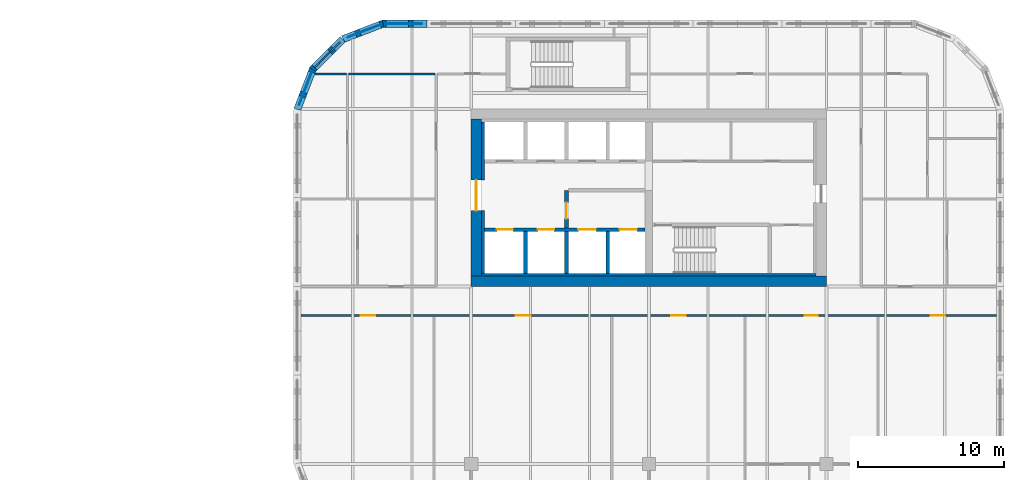
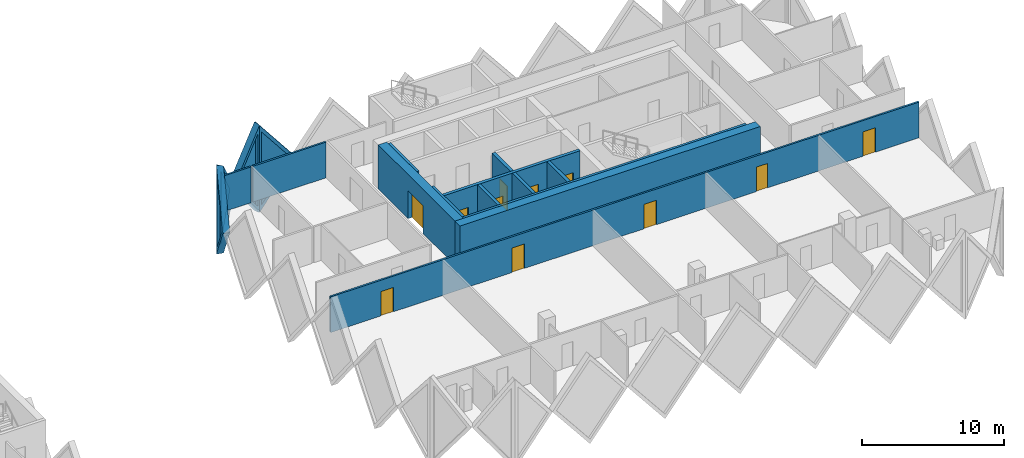
# One storey, part 13 of 20: 17 walls, 11 doors, 4 plates, 15 openings.
"""IFC4 building model written with IfcOpenShell, lengths in metres."""

from ifc_helpers import new_model, si_unit, direction, frame, frame_2d, origin, place, context, subcontext, project, spatial, polyline, rectangle, outline, extrude, faceted_brep, source, transform, mapped, material, layer, layer_set, type_object, element, fill, save


model = new_model("IFC4")

# Units and contexts
model_context = context("Model", 3, precision=1e-05, world=origin(), true_north=direction((0.0, 1.0)))
body_context = subcontext(model_context, "Body", "Model", "MODEL_VIEW")
ifc_project = project(units=[si_unit("LENGTHUNIT", "METRE"), si_unit("AREAUNIT", "SQUARE_METRE"), si_unit("VOLUMEUNIT", "CUBIC_METRE"), si_unit("PLANEANGLEUNIT", "RADIAN"), si_unit("MASSUNIT", "GRAM", prefix="KILO")], contexts=[model_context])

# Site, building, storey
site_placement = place(None, origin())
site = spatial("IfcSite", under=ifc_project, at=site_placement, CompositionType="ELEMENT")
building_placement = place(site_placement, origin())
building = spatial("IfcBuilding", under=site, at=building_placement, Name="Tessera Gate Towers", CompositionType="ELEMENT")
storey_placement = place(building_placement, frame((0.0, 0.0, 48.60009765625)))
storey = spatial("IfcBuildingStorey", under=building, at=storey_placement, Name="L11", CompositionType="ELEMENT", Elevation=48.60009765625)

# Wall, openings, doors
ifc_material_1 = material(Name="Concrete C40/50", Category="concrete")
ifc_layer_1 = layer(ifc_material_1, 0.25)
ifc_layer_set_1 = layer_set([ifc_layer_1], Name="CORE ENCLOSURE WALL 250")
wall_type_1 = type_object("IfcWallType", Name="CORE ENCLOSURE WALL 250", PredefinedType="SOLIDWALL", material=ifc_layer_set_1)
wall_1_placement = place(storey_placement, frame((98.5, 40.5, 0.0), z_axis=(0.0, 0.0, 1.0), x_axis=(1.0, 0.0, 0.0)))
wall_1 = element("IfcWall", 1, at=wall_1_placement, inside=storey, type_object=wall_type_1, Name="L11 shaft and stair enclosure wall", PredefinedType="SOLIDWALL", context=body_context, shape_type="SweptSolid", body=[
    extrude(rectangle(XDim=11.050048828125, YDim=0.25, at=frame_2d((5.52490234375, 0.0))), origin(), (0.0, 0.0, 1.0), 3.7998046875),
])
shared_shape_1 = source(origin(), body_context, "Body", "SweptSolid", [
    extrude(rectangle(XDim=1.10009765625, YDim=2.10009765625, at=frame_2d((0.550048828125, 1.050048828125))), frame((0.0, 0.135009765625, 0.0), z_axis=(0.0, -1.0, 0.0), x_axis=(1.0, 0.0, 0.0)), (0.0, 0.0, 1.0), 0.27001953125),
])
opening_1_placement = place(wall_1_placement, frame((0.862548828125, 0.0, 0.0)))
opening_1 = element("IfcOpeningElement", 2, at=opening_1_placement, cuts=wall_1, Name="Opening LD-TL1", PredefinedType="OPENING", context=body_context, shape_type="MappedRepresentation", body=[
    mapped(shared_shape_1, transform((0.0, 0.0, 0.0), scale=1.0)),
])
opening_2_placement = place(wall_1_placement, frame((3.6875, 0.0, 0.0)))
opening_2 = element("IfcOpeningElement", 3, at=opening_2_placement, cuts=wall_1, Name="Opening LD-TL2", PredefinedType="OPENING", context=body_context, shape_type="MappedRepresentation", body=[
    mapped(shared_shape_1, transform((0.0, 0.0, 0.0), scale=1.0)),
])
shared_shape_2 = source(origin(), body_context, "Body", "SweptSolid", [
    extrude(rectangle(XDim=1.199951171875, YDim=2.10009765625, at=frame_2d((0.60009765625, 1.050048828125))), frame((0.0, 0.135009765625, 0.0), z_axis=(0.0, -1.0, 0.0), x_axis=(1.0, 0.0, 0.0)), (0.0, 0.0, 1.0), 0.27001953125),
])
opening_3_placement = place(wall_1_placement, frame((6.46240234375, 0.0, 0.0)))
opening_3 = element("IfcOpeningElement", 4, at=opening_3_placement, cuts=wall_1, Name="Opening LD-FF3", PredefinedType="OPENING", context=body_context, shape_type="MappedRepresentation", body=[
    mapped(shared_shape_2, transform((0.0, 0.0, 0.0), scale=1.0)),
])
opening_4_placement = place(wall_1_placement, frame((9.28759765625, 0.0, 0.0)))
opening_4 = element("IfcOpeningElement", 5, at=opening_4_placement, cuts=wall_1, Name="Opening LD-FF4", PredefinedType="OPENING", context=body_context, shape_type="MappedRepresentation", body=[
    mapped(shared_shape_2, transform((0.0, 0.0, 0.0), scale=1.0)),
])
ifc_material_2 = material(Name="Stainless steel", Category="steel")
door_type_1 = type_object("IfcDoorType", Name="CORE DOOR LD1200 1200x2100", OperationType="DOUBLE_DOOR_SLIDING", PredefinedType="DOOR", material=ifc_material_2)
shared_shape_3 = source(origin(), body_context, "Body", "SweptSolid", [
    extrude(rectangle(XDim=1.199951171875, YDim=2.10009765625, at=frame_2d((0.60009765625, 1.050048828125))), frame((0.0, 0.02490234375, 0.0), z_axis=(0.0, -1.0, 0.0), x_axis=(1.0, 0.0, 0.0)), (0.0, 0.0, 1.0), 0.050048828125),
])
door_1_placement = place(opening_3_placement, origin())
door_1 = element("IfcDoor", 6, at=door_1_placement, inside=storey, type_object=door_type_1, Name="Landing door FF3 L11", OperationType="DOUBLE_DOOR_SLIDING", OverallHeight=2.10009765625, OverallWidth=1.199951171875, PredefinedType="DOOR", context=body_context, shape_type="MappedRepresentation", body=[
    mapped(shared_shape_3, transform((0.0, 0.0, 0.0), scale=1.0)),
])
fill(opening_3, door_1)
door_2_placement = place(opening_4_placement, origin())
door_2 = element("IfcDoor", 7, at=door_2_placement, inside=storey, type_object=door_type_1, Name="Landing door FF4 L11", OperationType="DOUBLE_DOOR_SLIDING", OverallHeight=2.10009765625, OverallWidth=1.199951171875, PredefinedType="DOOR", context=body_context, shape_type="MappedRepresentation", body=[
    mapped(shared_shape_3, transform((0.0, 0.0, 0.0), scale=1.0)),
])
fill(opening_4, door_2)
ifc_material_3 = material(Name="Stainless steel", Category="steel")
door_type_2 = type_object("IfcDoorType", Name="CORE DOOR LD 1100x2100", OperationType="DOUBLE_DOOR_SLIDING", PredefinedType="DOOR", material=ifc_material_3)
shared_shape_4 = source(origin(), body_context, "Body", "SweptSolid", [
    extrude(rectangle(XDim=1.10009765625, YDim=2.10009765625, at=frame_2d((0.550048828125, 1.050048828125))), frame((0.0, 0.02490234375, 0.0), z_axis=(0.0, -1.0, 0.0), x_axis=(1.0, 0.0, 0.0)), (0.0, 0.0, 1.0), 0.050048828125),
])
door_3_placement = place(opening_1_placement, origin())
door_3 = element("IfcDoor", 8, at=door_3_placement, inside=storey, type_object=door_type_2, Name="Landing door TL1 L11", OperationType="DOUBLE_DOOR_SLIDING", OverallHeight=2.10009765625, OverallWidth=1.10009765625, PredefinedType="DOOR", context=body_context, shape_type="MappedRepresentation", body=[
    mapped(shared_shape_4, transform((0.0, 0.0, 0.0), scale=1.0)),
])
fill(opening_1, door_3)
door_4_placement = place(opening_2_placement, origin())
door_4 = element("IfcDoor", 9, at=door_4_placement, inside=storey, type_object=door_type_2, Name="Landing door TL2 L11", OperationType="DOUBLE_DOOR_SLIDING", OverallHeight=2.10009765625, OverallWidth=1.10009765625, PredefinedType="DOOR", context=body_context, shape_type="MappedRepresentation", body=[
    mapped(shared_shape_4, transform((0.0, 0.0, 0.0), scale=1.0)),
])
fill(opening_2, door_4)

# Wall
wall_2_placement = place(storey_placement, frame((104.14990234375, 37.5, 0.0), z_axis=(0.0, 0.0, 1.0), x_axis=(0.0, 1.0, 0.0)))
element("IfcWall", 10, at=wall_2_placement, inside=storey, type_object=wall_type_1, Name="L11 shaft and stair enclosure wall", PredefinedType="SOLIDWALL", context=body_context, shape_type="SweptSolid", body=[
    extrude(rectangle(XDim=2.875, YDim=0.25, at=frame_2d((1.4375, 0.0))), origin(), (0.0, 0.0, 1.0), 3.7998046875),
])

# Wall, opening, door
wall_3_placement = place(storey_placement, frame((104.14990234375, 43.199951171875, 0.0), z_axis=(0.0, 0.0, 1.0), x_axis=(0.0, -1.0, 0.0)))
wall_3 = element("IfcWall", 11, at=wall_3_placement, inside=storey, type_object=wall_type_1, Name="L11 shaft and stair enclosure wall", PredefinedType="SOLIDWALL", context=body_context, shape_type="SweptSolid", body=[
    extrude(rectangle(XDim=2.574951171875, YDim=0.25, at=frame_2d((1.28759765625, 0.0))), origin(), (0.0, 0.0, 1.0), 3.7998046875),
])
opening_5_placement = place(wall_3_placement, frame((0.85009765625, 0.0, 0.0)))
opening_5 = element("IfcOpeningElement", 12, at=opening_5_placement, cuts=wall_3, Name="Opening FD-T2-04-03", PredefinedType="OPENING", context=body_context, shape_type="MappedRepresentation", body=[
    mapped(shared_shape_1, transform((0.0, 0.0, 0.0), scale=1.0)),
])
ifc_material_4 = material(Name="Hollow steel fire door", Category="steel")
door_type_3 = type_object("IfcDoorType", Name="CORE DOOR FD 1100x2100", OperationType="NOTDEFINED", PredefinedType="DOOR", material=ifc_material_4)
door_5_placement = place(opening_5_placement, origin())
door_5 = element("IfcDoor", 13, at=door_5_placement, inside=storey, type_object=door_type_3, Name="Fire-fighting lobby door", OperationType="SINGLE_SWING_RIGHT", OverallHeight=2.10009765625, OverallWidth=1.10009765625, PredefinedType="DOOR", context=body_context, shape_type="MappedRepresentation", body=[
    mapped(shared_shape_4, transform((0.0, 0.0, 0.0), scale=1.0)),
])
fill(opening_5, door_5)

# Walls
for number, where, z_axis, x_axis, name in (
    (14, (101.324951171875, 37.5, 0.0), (0.0, 0.0, 1.0), (0.0, 1.0, 0.0), "L11 shaft and stair enclosure wall"),
    (15, (106.97509765625, 37.5, 0.0), (0.0, 0.0, 1.0), (0.0, 1.0, 0.0), "L11 shaft and stair enclosure wall"),
):
    element("IfcWall", number, at=place(storey_placement, frame(where, z_axis=z_axis, x_axis=x_axis)), inside=storey, type_object=wall_type_1, Name=name, PredefinedType="SOLIDWALL", context=body_context, shape_type="SweptSolid", body=[
        extrude(rectangle(XDim=2.875, YDim=0.25, at=frame_2d((1.4375, 0.0))), origin(), (0.0, 0.0, 1.0), 3.7998046875),
    ])
ifc_material_5 = material(Name="Concrete C60/75", Category="concrete")
ifc_layer_2 = layer(ifc_material_5, 0.699951171875)
ifc_layer_set_2 = layer_set([ifc_layer_2], Name="CORE SHEAR WALL 700 C60/75")
wall_type_2 = type_object("IfcWallType", Name="CORE SHEAR WALL 700 C60/75", PredefinedType="SHEAR", material=ifc_layer_set_2)
wall_4_placement = place(storey_placement, frame((122.0, 36.949951171875, 0.0), z_axis=(0.0, 0.0, 1.0), x_axis=(-1.0, 0.0, 0.0)))
element("IfcWall", 16, at=wall_4_placement, inside=storey, type_object=wall_type_2, Name="Core wall S L11", PredefinedType="SHEAR", context=body_context, shape_type="SweptSolid", body=[
    extrude(rectangle(XDim=24.39990234375, YDim=0.699951171875, at=frame_2d((12.199951171875, 0.0))), origin(), (0.0, 0.0, 1.0), 3.7998046875),
])

# Wall, opening, door
wall_5_placement = place(storey_placement, frame((97.949951171875, 37.300048828125, 0.0), z_axis=(0.0, 0.0, 1.0), x_axis=(0.0, 1.0, 0.0)))
wall_5 = element("IfcWall", 17, at=wall_5_placement, inside=storey, type_object=wall_type_2, Name="Core wall W L11", PredefinedType="SHEAR", context=body_context, shape_type="SweptSolid", body=[
    extrude(rectangle(XDim=10.800048828125, YDim=0.699951171875, at=frame_2d((5.39990234375, 0.0))), origin(), (0.0, 0.0, 1.0), 3.7998046875),
])
shared_shape_5 = source(origin(), body_context, "Body", "SweptSolid", [
    extrude(rectangle(XDim=2.10009765625, YDim=2.39990234375, at=frame_2d((1.050048828125, 1.199951171875))), frame((0.0, 0.35986328125, 0.0), z_axis=(0.0, -1.0, 0.0), x_axis=(1.0, 0.0, 0.0)), (0.0, 0.0, 1.0), 0.719970703125),
])
opening_6_placement = place(wall_5_placement, frame((4.5, 0.0, 0.0)))
opening_6 = element("IfcOpeningElement", 18, at=opening_6_placement, cuts=wall_5, Name="Opening DD-T2-04-01", PredefinedType="OPENING", context=body_context, shape_type="MappedRepresentation", body=[
    mapped(shared_shape_5, transform((0.0, 0.0, 0.0), scale=1.0)),
])
ifc_material_6 = material(Name="Hollow steel fire door", Category="steel")
door_type_4 = type_object("IfcDoorType", Name="CORE DOOR DD 2100x2400", OperationType="NOTDEFINED", PredefinedType="DOOR", material=ifc_material_6)
shared_shape_6 = source(origin(), body_context, "Body", "SweptSolid", [
    extrude(rectangle(XDim=2.10009765625, YDim=2.39990234375, at=frame_2d((1.050048828125, 1.199951171875))), frame((0.0, 0.02490234375, 0.0), z_axis=(0.0, -1.0, 0.0), x_axis=(1.0, 0.0, 0.0)), (0.0, 0.0, 1.0), 0.050048828125),
])
door_6_placement = place(opening_6_placement, origin())
door_6 = element("IfcDoor", 19, at=door_6_placement, inside=storey, type_object=door_type_4, Name="Core entrance door", OperationType="DOUBLE_DOOR_SINGLE_SWING", OverallHeight=2.39990234375, OverallWidth=2.10009765625, PredefinedType="DOOR", context=body_context, shape_type="MappedRepresentation", body=[
    mapped(shared_shape_6, transform((0.0, 0.0, 0.0), scale=1.0)),
])
fill(opening_6, door_6)

# Walls
ifc_material_7 = material(Name="Concrete C60/75", Category="concrete")
ifc_layer_3 = layer(ifc_material_7, 0.199951171875)
ifc_layer_set_3 = layer_set([ifc_layer_3], Name="CORE WALL THICKENING 200")
wall_type_3 = type_object("IfcWallType", Name="CORE WALL THICKENING 200", PredefinedType="SOLIDWALL", material=ifc_layer_set_3)
wall_6_placement = place(storey_placement, frame((98.300048828125, 37.39990234375, 0.0), z_axis=(0.0, 0.0, 1.0), x_axis=(1.0, 0.0, 0.0)))
element("IfcWall", 20, at=wall_6_placement, inside=storey, type_object=wall_type_3, Name="Core wall thickening S L11", PredefinedType="SOLIDWALL", context=body_context, shape_type="SweptSolid", body=[
    extrude(rectangle(XDim=23.0, YDim=0.199951171875, at=frame_2d((11.5, 0.0))), origin(), (0.0, 0.0, 1.0), 3.7998046875),
])
wall_7_placement = place(storey_placement, frame((98.39990234375, 37.5, 0.0), z_axis=(0.0, 0.0, 1.0), x_axis=(0.0, 1.0, 0.0)))
element("IfcWall", 21, at=wall_7_placement, inside=storey, type_object=wall_type_3, Name="Core wall thickening W L11", PredefinedType="SOLIDWALL", context=body_context, shape_type="SweptSolid", body=[
    extrude(rectangle(XDim=4.300048828125, YDim=0.199951171875, at=frame_2d((2.14990234375, 0.0))), origin(), (0.0, 0.0, 1.0), 3.7998046875),
])
wall_8_placement = place(storey_placement, frame((98.39990234375, 43.89990234375, 0.0), z_axis=(0.0, 0.0, 1.0), x_axis=(0.0, 1.0, 0.0)))
element("IfcWall", 22, at=wall_8_placement, inside=storey, type_object=wall_type_3, Name="Core wall thickening W L11", PredefinedType="SOLIDWALL", context=body_context, shape_type="SweptSolid", body=[
    extrude(rectangle(XDim=4.0, YDim=0.199951171875, at=frame_2d((2.0, 0.0))), origin(), (0.0, 0.0, 1.0), 3.7998046875),
])

# Wall, openings, doors
ifc_material_8 = material(Name="Gypsum board on steel studs, mineral wool", Category="steel")
ifc_layer_4 = layer(ifc_material_8, 0.14990234375)
ifc_layer_set_4 = layer_set([ifc_layer_4], Name="CORRIDOR WALL 150")
wall_type_4 = type_object("IfcWallType", Name="CORRIDOR WALL 150", PredefinedType="PARTITIONING", material=ifc_layer_set_4)
wall_9_placement = place(storey_placement, frame((133.699951171875, 34.60009765625, 0.0), z_axis=(0.0, 0.0, 1.0), x_axis=(-1.0, 0.0, 0.0)))
wall_9 = element("IfcWall", 23, at=wall_9_placement, inside=storey, type_object=wall_type_4, Name="T2-L11-PW-024", PredefinedType="PARTITIONING", context=body_context, shape_type="SweptSolid", body=[
    extrude(rectangle(XDim=47.800048828125, YDim=0.14990234375, at=frame_2d((23.89990234375, 0.0))), origin(), (0.0, 0.0, 1.0), 3.06689453125),
])
shared_shape_7 = source(origin(), body_context, "Body", "SweptSolid", [
    extrude(rectangle(XDim=1.0, YDim=2.10009765625, at=frame_2d((0.5, 1.050048828125))), frame((0.0, 0.0849609375, 0.0), z_axis=(0.0, -1.0, 0.0), x_axis=(1.0, 0.0, 0.0)), (0.0, 0.0, 1.0), 0.169921875),
])
opening_7_placement = place(wall_9_placement, frame((3.549072265625, 0.0, 0.0)))
opening_7 = element("IfcOpeningElement", 24, at=opening_7_placement, cuts=wall_9, Name="Opening D2100FD60-B05-02", PredefinedType="OPENING", context=body_context, shape_type="MappedRepresentation", body=[
    mapped(shared_shape_7, transform((0.0, 0.0, 0.0), scale=1.0)),
])
opening_8_placement = place(wall_9_placement, frame((42.699951171875, 0.0, 0.0)))
opening_8 = element("IfcOpeningElement", 25, at=opening_8_placement, cuts=wall_9, Name="Opening D2100FD60-B05-04", PredefinedType="OPENING", context=body_context, shape_type="MappedRepresentation", body=[
    mapped(shared_shape_7, transform((0.0, 0.0, 0.0), scale=1.0)),
])
shared_shape_8 = source(origin(), body_context, "Body", "SweptSolid", [
    extrude(rectangle(XDim=0.89990234375, YDim=2.10009765625, at=frame_2d((0.449951171875, 1.050048828125))), frame((0.0, 0.0849609375, 0.0), z_axis=(0.0, -1.0, 0.0), x_axis=(1.0, 0.0, 0.0)), (0.0, 0.0, 1.0), 0.169921875),
])
opening_9_placement = place(wall_9_placement, frame((12.299072265625, 0.0, 0.0)))
opening_9 = element("IfcOpeningElement", 26, at=opening_9_placement, cuts=wall_9, Name="Opening D890FD60-B05-01", PredefinedType="OPENING", context=body_context, shape_type="MappedRepresentation", body=[
    mapped(shared_shape_8, transform((0.0, 0.0, 0.0), scale=1.0)),
])
opening_10_placement = place(wall_9_placement, frame((21.34912109375, 0.0, 0.0)))
opening_10 = element("IfcOpeningElement", 27, at=opening_10_placement, cuts=wall_9, Name="Opening D2100FD60-B05-05", PredefinedType="OPENING", context=body_context, shape_type="MappedRepresentation", body=[
    mapped(shared_shape_7, transform((0.0, 0.0, 0.0), scale=1.0)),
])
opening_11_placement = place(wall_9_placement, frame((32.050048828125, 0.0, 0.0)))
opening_11 = element("IfcOpeningElement", 28, at=opening_11_placement, cuts=wall_9, Name="Opening D2100FD60-B05-06", PredefinedType="OPENING", context=body_context, shape_type="MappedRepresentation", body=[
    mapped(shared_shape_7, transform((0.0, 0.0, 0.0), scale=1.0)),
])
ifc_material_9 = material(Name="Timber door leaf in steel frame", Category="steel")
door_type_5 = type_object("IfcDoorType", Name="CORRIDOR DOOR 900 FD60", OperationType="NOTDEFINED", PredefinedType="DOOR", material=ifc_material_9)
shared_shape_9 = source(origin(), body_context, "Body", "SweptSolid", [
    extrude(rectangle(XDim=0.89990234375, YDim=2.10009765625, at=frame_2d((0.449951171875, 1.050048828125))), frame((0.0, 0.02490234375, 0.0), z_axis=(0.0, -1.0, 0.0), x_axis=(1.0, 0.0, 0.0)), (0.0, 0.0, 1.0), 0.050048828125),
])
door_7_placement = place(opening_9_placement, origin())
door_7 = element("IfcDoor", 29, at=door_7_placement, inside=storey, type_object=door_type_5, Name="T2-L11-PD-020", OperationType="SINGLE_SWING_RIGHT", OverallHeight=2.10009765625, OverallWidth=0.89990234375, PredefinedType="DOOR", context=body_context, shape_type="MappedRepresentation", body=[
    mapped(shared_shape_9, transform((0.0, 0.0, 0.0), scale=1.0)),
])
fill(opening_9, door_7)
ifc_material_10 = material(Name="Timber door leaf in steel frame", Category="steel")
door_type_6 = type_object("IfcDoorType", Name="TENANCY ENTRANCE DOOR 1000 FD60", OperationType="NOTDEFINED", PredefinedType="DOOR", material=ifc_material_10)
shared_shape_10 = source(origin(), body_context, "Body", "SweptSolid", [
    extrude(rectangle(XDim=1.0, YDim=2.10009765625, at=frame_2d((0.5, 1.050048828125))), frame((0.0, 0.02490234375, 0.0), z_axis=(0.0, -1.0, 0.0), x_axis=(1.0, 0.0, 0.0)), (0.0, 0.0, 1.0), 0.050048828125),
])
door_8_placement = place(opening_7_placement, origin())
door_8 = element("IfcDoor", 30, at=door_8_placement, inside=storey, type_object=door_type_6, Name="T2-L11-PD-014", OperationType="SINGLE_SWING_RIGHT", OverallHeight=2.10009765625, OverallWidth=1.0, PredefinedType="DOOR", context=body_context, shape_type="MappedRepresentation", body=[
    mapped(shared_shape_10, transform((0.0, 0.0, 0.0), scale=1.0)),
])
fill(opening_7, door_8)
door_9_placement = place(opening_8_placement, origin())
door_9 = element("IfcDoor", 31, at=door_9_placement, inside=storey, type_object=door_type_6, Name="T2-L11-PD-019", OperationType="SINGLE_SWING_RIGHT", OverallHeight=2.10009765625, OverallWidth=1.0, PredefinedType="DOOR", context=body_context, shape_type="MappedRepresentation", body=[
    mapped(shared_shape_10, transform((0.0, 0.0, 0.0), scale=1.0)),
])
fill(opening_8, door_9)
door_10_placement = place(opening_10_placement, origin())
door_10 = element("IfcDoor", 32, at=door_10_placement, inside=storey, type_object=door_type_6, Name="T2-L11-PD-021", OperationType="SINGLE_SWING_RIGHT", OverallHeight=2.10009765625, OverallWidth=1.0, PredefinedType="DOOR", context=body_context, shape_type="MappedRepresentation", body=[
    mapped(shared_shape_10, transform((0.0, 0.0, 0.0), scale=1.0)),
])
fill(opening_10, door_10)
door_11_placement = place(opening_11_placement, origin())
door_11 = element("IfcDoor", 33, at=door_11_placement, inside=storey, type_object=door_type_6, Name="T2-L11-PD-024", OperationType="SINGLE_SWING_RIGHT", OverallHeight=2.10009765625, OverallWidth=1.0, PredefinedType="DOOR", context=body_context, shape_type="MappedRepresentation", body=[
    mapped(shared_shape_10, transform((0.0, 0.0, 0.0), scale=1.0)),
])
fill(opening_11, door_11)

# Walls
ifc_material_11 = material(Name="Gypsum board on steel studs, mineral wool", Category="steel")
ifc_layer_5 = layer(ifc_material_11, 0.14990234375)
ifc_layer_set_5 = layer_set([ifc_layer_5], Name="TENANCY WALL 150")
wall_type_5 = type_object("IfcWallType", Name="TENANCY WALL 150", PredefinedType="PARTITIONING", material=ifc_layer_set_5)
wall_10_placement = place(storey_placement, frame((86.86181640625, 51.199951171875, 0.0), z_axis=(0.0, 0.0, 1.0), x_axis=(1.0, 0.0, 0.0)))
element("IfcWall", 34, at=wall_10_placement, inside=storey, type_object=wall_type_5, Name="T2-L11-PW-037", PredefinedType="PARTITIONING", context=body_context, shape_type="SweptSolid", body=[
    extrude(rectangle(XDim=2.162109375, YDim=0.14990234375, at=frame_2d((1.0810546875, 0.0))), origin(), (0.0, 0.0, 1.0), 3.06689453125),
])
wall_11_placement = place(storey_placement, frame((89.176025390625, 51.199951171875, 0.0), z_axis=(0.0, 0.0, 1.0), x_axis=(1.0, 0.0, 0.0)))
element("IfcWall", 35, at=wall_11_placement, inside=storey, type_object=wall_type_5, Name="T2-L11-PW-038", PredefinedType="PARTITIONING", context=body_context, shape_type="SweptSolid", body=[
    extrude(rectangle(XDim=5.947998046875, YDim=0.14990234375, at=frame_2d((2.97412109375, 0.0))), origin(), (0.0, 0.0, 1.0), 3.06689453125),
])

# Wall, opening, plate
ifc_material_12 = material(Name="Precast concrete C60/75 white", Category="concrete")
ifc_layer_6 = layer(ifc_material_12, 0.5)
ifc_layer_set_6 = layer_set([ifc_layer_6], Name="TS3 corner tessera")
wall_type_6 = type_object("IfcWallType", Name="TS3 corner tessera", PredefinedType="SOLIDWALL", material=ifc_layer_set_6)
shared_shape_11 = source(origin(), body_context, "Body", "Brep", [
    faceted_brep([(3.00341796875, -0.25, 0.0), (3.050048828125, -0.25, 0.06005859375), (3.050048828125, -0.25, 7.539794921875), (3.00341796875, -0.25, 7.599853515625), (0.0, -0.25, 3.800048828125), (0.0, 0.25, 3.800048828125), (2.956787109375, 0.25, 7.541015625), (2.956787109375, 0.25, 0.058837890625), (3.00341796875, 0.000244140625, 0.0), (3.00341796875, 0.000244140625, 7.599853515625)], [[[0, 1, 2, 3, 4]], [[5, 6, 7]], [[1, 0, 8]], [[9, 3, 2]], [[6, 5, 4, 3, 9]], [[5, 7, 8, 0, 4]], [[1, 8, 7, 6, 9, 2]]]),
])
wall_12_placement = place(storey_placement, frame((94.550048828125, 54.64990234375, -3.800048828125), z_axis=(0.0, 0.0, 1.0), x_axis=(-1.0, 0.0, 0.0)))
wall_12 = element("IfcWall", 36, at=wall_12_placement, inside=storey, type_object=wall_type_6, Name="Precast corner tessera T2 TS3-0155", PredefinedType="SOLIDWALL", context=body_context, shape_type="MappedRepresentation", body=[
    mapped(shared_shape_11, transform((0.0, 0.0, 0.0), scale=1.0)),
])
shared_shape_12 = source(origin(), body_context, "Body", "SweptSolid", [
    extrude(outline(polyline([(2.803466796875, 6.94384765625), (0.318603515625, 3.800048828125), (2.803466796875, 0.65625), (2.803466796875, 6.94384765625)])), frame((0.0, 0.260009765625, 0.0), z_axis=(0.0, -1.0, 0.0), x_axis=(1.0, 0.0, 0.0)), (0.0, 0.0, 1.0), 0.52001953125),
])
opening_12_placement = place(wall_12_placement, origin())
opening_12 = element("IfcOpeningElement", 37, at=opening_12_placement, cuts=wall_12, Name="Opening T2-PL2-0228", PredefinedType="OPENING", context=body_context, shape_type="MappedRepresentation", body=[
    mapped(shared_shape_12, transform((0.0, 0.0, 0.0), scale=1.0)),
])
ifc_material_13 = material(Name="Low-e laminated glass", Category="glass")
ifc_layer_7 = layer(ifc_material_13, 0.06005859375)
ifc_layer_set_7 = layer_set([ifc_layer_7], Name="PL2 rhombic pane")
plate_type = type_object("IfcPlateType", Name="PL2 rhombic pane", PredefinedType="SHEET", material=ifc_layer_set_7)
shared_shape_13 = source(origin(), body_context, "Body", "SweptSolid", [
    extrude(outline(polyline([(2.803466796875, 6.94384765625), (0.318603515625, 3.800048828125), (2.803466796875, 0.65625), (2.803466796875, 6.94384765625)])), frame((0.0, 0.030029296875, 0.0), z_axis=(0.0, -1.0, 0.0), x_axis=(1.0, 0.0, 0.0)), (0.0, 0.0, 1.0), 0.06005859375),
])
plate_1_placement = place(opening_12_placement, origin())
plate_1 = element("IfcPlate", 38, at=plate_1_placement, inside=storey, type_object=plate_type, Name="Glass pane T2 PL2-0228", PredefinedType="SHEET", context=body_context, shape_type="MappedRepresentation", body=[
    mapped(shared_shape_13, transform((0.0, 0.0, 0.0), scale=1.0)),
])
fill(opening_12, plate_1)

shared_shape_14 = source(origin(), body_context, "Body", "Brep", [
    faceted_brep([(0.052978515625, -0.25, 0.0), (3.00341796875, -0.25, 3.800048828125), (0.052978515625, -0.25, 7.599853515625), (0.0, -0.25, 7.531494140625), (0.0, -0.25, 0.068359375), (0.10595703125, 0.25, 7.53173828125), (2.95703125, 0.25, 3.85986328125), (2.95703125, 0.25, 3.740234375), (0.10595703125, 0.25, 0.068115234375), (3.00341796875, 0.00048828125, 3.800048828125), (0.052978515625, 0.0, 0.0), (0.052978515625, 0.0, 7.599853515625)], [[[0, 1, 2, 3, 4]], [[5, 6, 7, 8]], [[8, 7, 9, 1, 0, 10]], [[6, 5, 11, 2, 1, 9]], [[3, 2, 11]], [[10, 0, 4]], [[8, 10, 4, 3, 11, 5]], [[7, 6, 9]]]),
])
wall_13_placement = place(storey_placement, frame((86.73095703125, 51.5556640625, -3.800048828125), z_axis=(0.0, 0.0, 1.0), x_axis=(-0.359855894603, -0.933007896601, 0.0)))
wall_13 = element("IfcWall", 39, at=wall_13_placement, inside=storey, type_object=wall_type_6, Name="Precast corner tessera T2 TS3-0158", PredefinedType="SOLIDWALL", context=body_context, shape_type="MappedRepresentation", body=[
    mapped(shared_shape_14, transform((0.0, 0.0, 0.0), scale=1.0)),
])
shared_shape_15 = source(origin(), body_context, "Body", "SweptSolid", [
    extrude(outline(polyline([(0.2529296875, 0.665283203125), (2.68701171875, 3.800048828125), (0.2529296875, 6.934814453125), (0.2529296875, 0.665283203125)])), frame((0.0, 0.260009765625, 0.0), z_axis=(0.0, -1.0, 0.0), x_axis=(1.0, 0.0, 0.0)), (0.0, 0.0, 1.0), 0.52001953125),
])
opening_13_placement = place(wall_13_placement, origin())
opening_13 = element("IfcOpeningElement", 40, at=opening_13_placement, cuts=wall_13, Name="Opening T2-PL2-0231", PredefinedType="OPENING", context=body_context, shape_type="MappedRepresentation", body=[
    mapped(shared_shape_15, transform((0.0, 0.0, 0.0), scale=1.0)),
])
shared_shape_16 = source(origin(), body_context, "Body", "SweptSolid", [
    extrude(outline(polyline([(0.2529296875, 0.665283203125), (2.68701171875, 3.800048828125), (0.2529296875, 6.934814453125), (0.2529296875, 0.665283203125)])), frame((0.0, 0.030029296875, 0.0), z_axis=(0.0, -1.0, 0.0), x_axis=(1.0, 0.0, 0.0)), (0.0, 0.0, 1.0), 0.06005859375),
])
plate_2_placement = place(opening_13_placement, origin())
plate_2 = element("IfcPlate", 41, at=plate_2_placement, inside=storey, type_object=plate_type, Name="Glass pane T2 PL2-0231", PredefinedType="SHEET", context=body_context, shape_type="MappedRepresentation", body=[
    mapped(shared_shape_16, transform((0.0, 0.0, 0.0), scale=1.0)),
])
fill(opening_13, plate_2)

shared_shape_17 = source(origin(), body_context, "Body", "Brep", [
    faceted_brep([(2.944091796875, -0.25, 0.0), (2.9970703125, -0.25, 0.068115234375), (2.9970703125, -0.25, 7.53173828125), (2.944091796875, -0.25, 7.599853515625), (0.0, -0.25, 3.800048828125), (0.052978515625, 0.25, 3.868408203125), (2.89111328125, 0.25, 7.53173828125), (2.89111328125, 0.25, 0.068115234375), (0.052978515625, 0.25, 3.731689453125), (2.944091796875, 0.000244140625, 0.0), (2.944091796875, 0.000244140625, 7.599853515625), (0.0, 0.0, 3.800048828125)], [[[0, 1, 2, 3, 4]], [[5, 6, 7, 8]], [[1, 0, 9]], [[10, 3, 2]], [[6, 5, 11, 4, 3, 10]], [[8, 7, 9, 0, 4, 11]], [[8, 11, 5]], [[1, 9, 7, 6, 10, 2]]]),
])
wall_14_placement = place(storey_placement, frame((88.793701171875, 53.588134765625, -3.800048828125), z_axis=(0.0, 0.0, 1.0), x_axis=(-0.707066050402, -0.707147509625, 0.0)))
wall_14 = element("IfcWall", 42, at=wall_14_placement, inside=storey, type_object=wall_type_6, Name="Precast corner tessera T2 TS3-0157", PredefinedType="SOLIDWALL", context=body_context, shape_type="MappedRepresentation", body=[
    mapped(shared_shape_17, transform((0.0, 0.0, 0.0), scale=1.0)),
])
shared_shape_18 = source(origin(), body_context, "Body", "SweptSolid", [
    extrude(outline(polyline([(2.744140625, 6.93359375), (0.316162109375, 3.800048828125), (2.744140625, 0.666259765625), (2.744140625, 6.93359375)])), frame((0.0, 0.260009765625, 0.0), z_axis=(0.0, -1.0, 0.0), x_axis=(1.0, 0.0, 0.0)), (0.0, 0.0, 1.0), 0.52001953125),
])
opening_14_placement = place(wall_14_placement, origin())
opening_14 = element("IfcOpeningElement", 43, at=opening_14_placement, cuts=wall_14, Name="Opening T2-PL2-0230", PredefinedType="OPENING", context=body_context, shape_type="MappedRepresentation", body=[
    mapped(shared_shape_18, transform((0.0, 0.0, 0.0), scale=1.0)),
])
shared_shape_19 = source(origin(), body_context, "Body", "SweptSolid", [
    extrude(outline(polyline([(2.744140625, 6.93359375), (0.316162109375, 3.800048828125), (2.744140625, 0.666259765625), (2.744140625, 6.93359375)])), frame((0.0, 0.030029296875, 0.0), z_axis=(0.0, -1.0, 0.0), x_axis=(1.0, 0.0, 0.0)), (0.0, 0.0, 1.0), 0.06005859375),
])
plate_3_placement = place(opening_14_placement, origin())
plate_3 = element("IfcPlate", 44, at=plate_3_placement, inside=storey, type_object=plate_type, Name="Glass pane T2 PL2-0230", PredefinedType="SHEET", context=body_context, shape_type="MappedRepresentation", body=[
    mapped(shared_shape_19, transform((0.0, 0.0, 0.0), scale=1.0)),
])
fill(opening_14, plate_3)

shared_shape_20 = source(origin(), body_context, "Body", "Brep", [
    faceted_brep([(0.046630859375, -0.25, 0.0), (2.9970703125, -0.25, 3.800048828125), (0.046630859375, -0.25, 7.599853515625), (0.0, -0.25, 7.541015625), (0.0, -0.25, 0.058837890625), (0.09326171875, 0.25, 7.539794921875), (2.9443359375, 0.25, 3.8681640625), (2.9443359375, 0.25, 3.73193359375), (0.09326171875, 0.25, 0.06005859375), (2.9970703125, 0.00048828125, 3.800048828125), (0.046630859375, 0.0, 0.0), (0.046630859375, 0.0, 7.599853515625)], [[[0, 1, 2, 3, 4]], [[5, 6, 7, 8]], [[8, 7, 9, 1, 0, 10]], [[6, 5, 11, 2, 1, 9]], [[3, 2, 11]], [[10, 0, 4]], [[8, 10, 4, 3, 11, 5]], [[7, 6, 9]]]),
])
wall_15_placement = place(storey_placement, frame((91.590087890625, 54.666748046875, -3.800048828125), z_axis=(0.0, 0.0, 1.0), x_axis=(-0.933000876937, -0.359874094142, 0.0)))
wall_15 = element("IfcWall", 45, at=wall_15_placement, inside=storey, type_object=wall_type_6, Name="Precast corner tessera T2 TS3-0156", PredefinedType="SOLIDWALL", context=body_context, shape_type="MappedRepresentation", body=[
    mapped(shared_shape_20, transform((0.0, 0.0, 0.0), scale=1.0)),
])
shared_shape_21 = source(origin(), body_context, "Body", "SweptSolid", [
    extrude(outline(polyline([(0.24658203125, 0.665283203125), (2.6806640625, 3.800048828125), (0.24658203125, 6.934814453125), (0.24658203125, 0.665283203125)])), frame((0.0, 0.260009765625, 0.0), z_axis=(0.0, -1.0, 0.0), x_axis=(1.0, 0.0, 0.0)), (0.0, 0.0, 1.0), 0.52001953125),
])
opening_15_placement = place(wall_15_placement, origin())
opening_15 = element("IfcOpeningElement", 46, at=opening_15_placement, cuts=wall_15, Name="Opening T2-PL2-0229", PredefinedType="OPENING", context=body_context, shape_type="MappedRepresentation", body=[
    mapped(shared_shape_21, transform((0.0, 0.0, 0.0), scale=1.0)),
])
shared_shape_22 = source(origin(), body_context, "Body", "SweptSolid", [
    extrude(outline(polyline([(0.24658203125, 0.665283203125), (2.6806640625, 3.800048828125), (0.24658203125, 6.934814453125), (0.24658203125, 0.665283203125)])), frame((0.0, 0.030029296875, 0.0), z_axis=(0.0, -1.0, 0.0), x_axis=(1.0, 0.0, 0.0)), (0.0, 0.0, 1.0), 0.06005859375),
])
plate_4_placement = place(opening_15_placement, origin())
plate_4 = element("IfcPlate", 47, at=plate_4_placement, inside=storey, type_object=plate_type, Name="Glass pane T2 PL2-0229", PredefinedType="SHEET", context=body_context, shape_type="MappedRepresentation", body=[
    mapped(shared_shape_22, transform((0.0, 0.0, 0.0), scale=1.0)),
])
fill(opening_15, plate_4)

save(model, "model.ifc")
